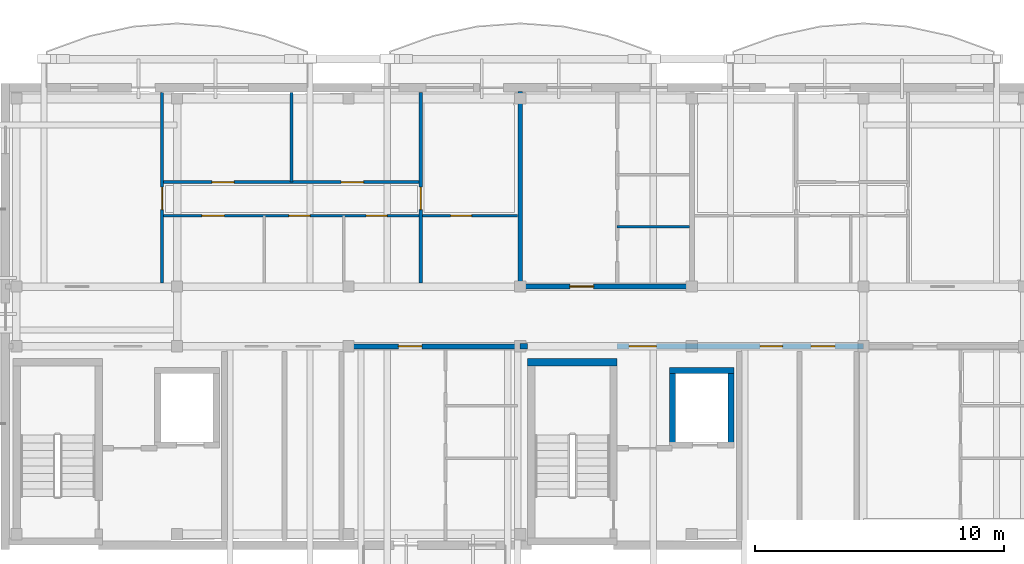
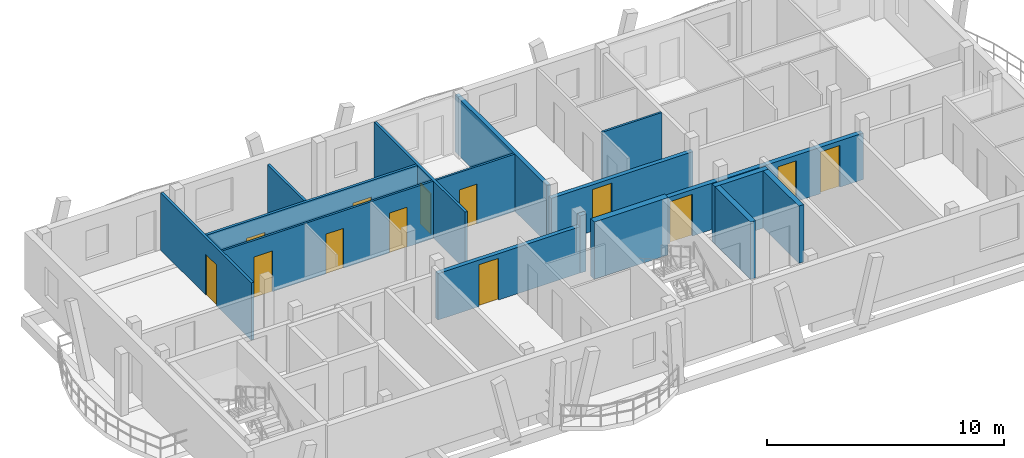
# One storey, part 29 of 42: 15 walls, 13 doors, 13 openings.
"""IFC4 building model written with IfcOpenShell, lengths in metres."""

import ifcopenshell
import ifcopenshell.guid

model = None  # the IFC model being written
_history = None  # IfcOwnerHistory: only IFC2X3 demands one
_inside = {}  # id of a spatial element -> (the spatial element, [elements in it])
_under = {}  # id of a project, library or spatial element -> (it, [spatial elements below it])
_declared = {}  # id of a project -> (the project, [libraries it declares])
_typed = {}  # id of a type object -> (the type object, [elements of that type])
_made_of = {}  # id of a material, layer set ... -> (it, [elements and type objects made of it])


def new_model(schema):
    """Start an empty IFC model of exactly this schema.

    Asked for "IFC4X3", IfcOpenShell would pick the latest addendum, in which some entities
    have other attributes; the version numbers below select the first issue.
    IFC2X3 requires an IfcOwnerHistory on every rooted entity: one is made here for all.
    """
    global model, _history
    if schema == "IFC4X3":
        model = ifcopenshell.file(schema_version=(4, 3, 0, 0))
    else:
        model = ifcopenshell.file(schema=schema)
    _inside.clear()
    _under.clear()
    _declared.clear()
    _typed.clear()
    _made_of.clear()
    _history = None
    if model.schema == "IFC2X3":
        org = make("IfcOrganization", Name="unknown")
        user = make(
            "IfcPersonAndOrganization",
            ThePerson=make("IfcPerson", FamilyName="unknown"),
            TheOrganization=org,
        )
        app = make(
            "IfcApplication",
            ApplicationDeveloper=org,
            Version="unknown",
            ApplicationFullName="unknown",
            ApplicationIdentifier="unknown",
        )
        _history = make(
            "IfcOwnerHistory",
            OwningUser=user,
            OwningApplication=app,
            ChangeAction="ADDED",
            CreationDate=0,
        )
    return model


def make(cls, **values):
    """One entity of the class cls with the attributes given. An attribute that is None is left unset."""
    return model.create_entity(
        cls, **{name: value for name, value in values.items() if value is not None}
    )


def rooted(cls, **values):
    """An entity with a GlobalId (a new one), such as an element, a storey or a relation."""
    return make(cls, GlobalId=ifcopenshell.guid.new(), OwnerHistory=_history, **values)


def si_unit(unit_type, name, prefix=None):
    """IfcSIUnit, for example si_unit("LENGTHUNIT", "METRE", prefix="MILLI")."""
    return make("IfcSIUnit", UnitType=unit_type, Prefix=prefix, Name=name)


def assignment(units):
    """IfcUnitAssignment: the units of a project."""
    return None if units is None else make("IfcUnitAssignment", Units=units)


def point(xyz):
    """IfcCartesianPoint."""
    return None if xyz is None else make("IfcCartesianPoint", Coordinates=xyz)


def direction(xyz):
    """IfcDirection."""
    return None if xyz is None else make("IfcDirection", DirectionRatios=xyz)


def frame(location, z_axis=None, x_axis=None):
    """IfcAxis2Placement3D, a coordinate frame: its origin and axes. An axis left out is left unset."""
    return make(
        "IfcAxis2Placement3D",
        Location=point(location),
        Axis=direction(z_axis),
        RefDirection=direction(x_axis),
    )


def frame_2d(location, x_axis=None):
    """IfcAxis2Placement2D, a coordinate frame in the plane: its origin and x axis."""
    return make(
        "IfcAxis2Placement2D", Location=point(location), RefDirection=direction(x_axis)
    )


def origin():
    """The frame at (0, 0, 0) with its axes left unset."""
    return frame((0.0, 0.0, 0.0))


def origin_with_axes():
    """The frame at (0, 0, 0) with the z axis (0, 0, 1) and the x axis (1, 0, 0) written out."""
    return frame((0.0, 0.0, 0.0), z_axis=(0.0, 0.0, 1.0), x_axis=(1.0, 0.0, 0.0))


def place(relative_to, where):
    """IfcLocalPlacement: puts the frame where relative to a parent placement (None: the world)."""
    return make(
        "IfcLocalPlacement", PlacementRelTo=relative_to, RelativePlacement=where
    )


def context(
    kind, dimensions, precision=None, world=None, true_north=None, identifier=None
):
    """IfcGeometricRepresentationContext, for example the 3D "Model" context."""
    return make(
        "IfcGeometricRepresentationContext",
        ContextIdentifier=identifier,
        ContextType=kind,
        CoordinateSpaceDimension=dimensions,
        Precision=precision,
        WorldCoordinateSystem=world,
        TrueNorth=true_north,
    )


def subcontext(parent, identifier, kind, view, scale=None):
    """IfcGeometricRepresentationSubContext, for example "Body" below "Model"."""
    return make(
        "IfcGeometricRepresentationSubContext",
        ContextIdentifier=identifier,
        ContextType=kind,
        ParentContext=parent,
        TargetScale=scale,
        TargetView=view,
    )


def project(units=None, contexts=None):
    """IfcProject with its units and contexts."""
    return rooted(
        "IfcProject",
        Name="project",
        RepresentationContexts=contexts,
        UnitsInContext=assignment(units),
    )


def spatial(cls, under=None, at=None, **own):
    """A site, building, storey or space (cls), placed at a placement, below another one or the project."""
    s = rooted(cls, ObjectPlacement=at, **own)
    if under is not None:
        _under.setdefault(under.id(), (under, []))[1].append(s)
    return s


def profile(cls, at=None, kind="AREA", **sizes):
    """A parametric profile (cls). Its sizes go by their IFC names, for example OverallWidth=200.0."""
    return make(cls, ProfileType=kind, Position=at, **sizes)


def rectangle(**sizes):
    """IfcRectangleProfileDef."""
    return profile("IfcRectangleProfileDef", **sizes)


def extrude(swept, where, along, depth):
    """IfcExtrudedAreaSolid: the profile swept, set in the frame where, extruded along a direction by depth."""
    return make(
        "IfcExtrudedAreaSolid",
        SweptArea=swept,
        Position=where,
        ExtrudedDirection=direction(along),
        Depth=depth,
    )


def shape(context_of_items, identifier, shape_type, items):
    """IfcShapeRepresentation: the items that make up one representation, for example the "Body"."""
    return make(
        "IfcShapeRepresentation",
        ContextOfItems=context_of_items,
        RepresentationIdentifier=identifier,
        RepresentationType=shape_type,
        Items=items,
    )


def material(Name=None, Category=None):
    """IfcMaterial."""
    return make("IfcMaterial", Name=Name, Category=Category)


def layer(
    of_material, thickness, ventilated=None, Name=None, Category=None, Priority=None
):
    """IfcMaterialLayer: one layer of a wall or slab, of a material (None: an air gap)."""
    return make(
        "IfcMaterialLayer",
        Material=of_material,
        LayerThickness=thickness,
        IsVentilated=ventilated,
        Name=Name,
        Category=Category,
        Priority=Priority,
    )


def layer_set(layers, Name=None):
    """IfcMaterialLayerSet."""
    return make("IfcMaterialLayerSet", MaterialLayers=layers, LayerSetName=Name)


def made_of(thing, what):
    """Note that an element or type object is made of a material, layer set ...; save() writes the relation."""
    if what is not None:
        _made_of.setdefault(what.id(), (what, []))[1].append(thing)
    return thing


def type_object(cls, material=None, **own):
    """A type object (cls), such as IfcWallType, which elements share."""
    return made_of(rooted(cls, **own), material)


def element(
    cls,
    number,
    at=None,
    inside=None,
    cuts=None,
    type_object=None,
    material=None,
    context=None,
    identifier="Body",
    shape_type=None,
    held_by="IfcProductDefinitionShape",
    body=None,
    shapes=None,
    **own,
):
    """One element of the class cls, such as IfcWall. Its Tag is "e" and its number.

    at: its placement. inside: the storey or other place that contains it. cuts: it is an
    opening in that element (IfcRelVoidsElement). A single representation is given by context,
    identifier, shape_type and body (its items); several are given by shapes. held_by: the class
    of the entity that holds the representations. save() writes the other relations.
    """
    e = rooted(cls, Tag="e%d" % number, ObjectPlacement=at, **own)
    if body is not None:
        shapes = [shape(context, identifier, shape_type, body)]
    if shapes is not None:
        e.Representation = make(held_by, Representations=shapes)
    if inside is not None:
        _inside.setdefault(inside.id(), (inside, []))[1].append(e)
    if cuts is not None:
        rooted(
            "IfcRelVoidsElement", RelatingBuildingElement=cuts, RelatedOpeningElement=e
        )
    if type_object is not None:
        _typed.setdefault(type_object.id(), (type_object, []))[1].append(e)
    return made_of(e, material)


def fill(opening, filler):
    """IfcRelFillsElement: the door or window that sits in an opening."""
    return rooted(
        "IfcRelFillsElement",
        RelatingOpeningElement=opening,
        RelatedBuildingElement=filler,
    )


def aggregate(whole, parts):
    """IfcRelAggregates: a whole, such as a stair, and the parts it consists of."""
    return rooted("IfcRelAggregates", RelatingObject=whole, RelatedObjects=parts)


def save(model, path):
    """Write the relations noted so far, then the file.

    IfcRelAggregates (storeys below a building ...), IfcRelContainedInSpatialStructure (elements
    in a storey), IfcRelDefinesByType, IfcRelAssociatesMaterial and IfcRelDeclares: one each for
    every whole, place, type object, material and project.
    """
    for whole, parts in _under.values():
        aggregate(whole, parts)
    for where, things in _inside.values():
        rooted(
            "IfcRelContainedInSpatialStructure",
            RelatedElements=things,
            RelatingStructure=where,
        )
    for kind, things in _typed.values():
        rooted("IfcRelDefinesByType", RelatedObjects=things, RelatingType=kind)
    for what, things in _made_of.values():
        rooted("IfcRelAssociatesMaterial", RelatedObjects=things, RelatingMaterial=what)
    for by, libraries in _declared.values():
        rooted("IfcRelDeclares", RelatingContext=by, RelatedDefinitions=libraries)
    model.write(path)


model = new_model("IFC4")

# Units and contexts
model_context = context("Model", 3, precision=1e-05, world=origin(), true_north=direction((0.0, 1.0)))
body_context = subcontext(model_context, "Body", "Model", "MODEL_VIEW")
ifc_project = project(units=[si_unit("LENGTHUNIT", "METRE"), si_unit("AREAUNIT", "SQUARE_METRE"), si_unit("VOLUMEUNIT", "CUBIC_METRE"), si_unit("PLANEANGLEUNIT", "RADIAN"), si_unit("MASSUNIT", "GRAM", prefix="KILO")], contexts=[model_context])

# Site, building, storey
site_placement = place(None, origin())
site = spatial("IfcSite", under=ifc_project, at=site_placement, CompositionType="ELEMENT")
building_placement = place(site_placement, origin())
building = spatial("IfcBuilding", under=site, at=building_placement, Name="Zavelmont Quarter", CompositionType="ELEMENT")
storey_placement = place(building_placement, frame((0.0, 0.0, 24.0)))
storey = spatial("IfcBuildingStorey", under=building, at=storey_placement, Name="L07", CompositionType="ELEMENT", Elevation=24.0)

# Wall
ifc_material_1 = material(Name="Calcium-silicate blockwork and acoustic plaster", Category="masonry")
ifc_layer_1 = layer(ifc_material_1, 0.199951171875)
ifc_layer_set_1 = layer_set([ifc_layer_1], Name="Calcium-silicate blockwork and acoustic plaster")
wall_type_1 = type_object("IfcWallType", Name="IW01", PredefinedType="PARTITIONING", material=ifc_layer_set_1)
wall_1_placement = place(storey_placement, frame((147.300048828125, 108.14990234375, 0.0), z_axis=(0.0, 0.0, 1.0), x_axis=(0.0, 1.0, 0.0)))
element("IfcWall", 1, at=wall_1_placement, inside=storey, type_object=wall_type_1, Name="L07 Inter-dwelling compartment wall IW01", PredefinedType="PARTITIONING", context=body_context, shape_type="SweptSolid", body=[
    extrude(rectangle(XDim=7.7001953125, YDim=0.199951171875, at=frame_2d((3.85009765625, 0.0))), origin(), (0.0, 0.0, 1.0), 2.949951171875),
])

# Wall, opening, door
wall_2_placement = place(storey_placement, frame((147.300048828125, 108.0, 0.0), z_axis=(0.0, 0.0, 1.0), x_axis=(1.0, 0.0, 0.0)))
wall_2 = element("IfcWall", 2, at=wall_2_placement, inside=storey, type_object=wall_type_1, Name="L07 Corridor compartment wall IW01", PredefinedType="PARTITIONING", context=body_context, shape_type="SweptSolid", body=[
    extrude(rectangle(XDim=6.89990234375, YDim=0.199951171875, at=frame_2d((3.449951171875, 0.0))), origin(), (0.0, 0.0, 1.0), 2.389892578125),
])
opening_1_placement = place(wall_2_placement, frame((2.0, 0.0, 0.0)))
opening_1 = element("IfcOpeningElement", 3, at=opening_1_placement, cuts=wall_2, Name="Opening DR02", PredefinedType="OPENING", context=body_context, shape_type="SweptSolid", body=[
    extrude(rectangle(XDim=0.949951171875, YDim=2.14990234375, at=frame_2d((0.47509765625, 1.074951171875))), frame((0.0, 0.11181640625, 0.0), z_axis=(0.0, -1.0, 0.0), x_axis=(1.0, 0.0, 0.0)), (0.0, 0.0, 1.0), 0.223876953125),
])
ifc_material_2 = material(Name="Solid-core oak fire leaf in steel frame", Category="steel")
door_type_1 = type_object("IfcDoorType", Name="DR02", OperationType="NOTDEFINED", PredefinedType="DOOR", material=ifc_material_2)
door_1_placement = place(opening_1_placement, origin_with_axes())
door_1 = element("IfcDoor", 4, at=door_1_placement, inside=storey, type_object=door_type_1, Name="L07 door DR02", OperationType="SINGLE_SWING_RIGHT", OverallHeight=2.14990234375, OverallWidth=0.949951171875, PredefinedType="DOOR", context=body_context, shape_type="SweptSolid", body=[
    extrude(rectangle(XDim=0.949951171875, YDim=2.14990234375, at=frame_2d((0.47509765625, 1.074951171875))), frame((0.0, 0.02490234375, 0.0), z_axis=(0.0, -1.0, 0.0), x_axis=(1.0, 0.0, 0.0)), (0.0, 0.0, 1.0), 0.050048828125),
])
fill(opening_1, door_1)

wall_3_placement = place(storey_placement, frame((140.39990234375, 105.60009765625, 0.0), z_axis=(0.0, 0.0, 1.0), x_axis=(1.0, 0.0, 0.0)))
wall_3 = element("IfcWall", 5, at=wall_3_placement, inside=storey, type_object=wall_type_1, Name="L07 Corridor compartment wall IW01", PredefinedType="PARTITIONING", context=body_context, shape_type="SweptSolid", body=[
    extrude(rectangle(XDim=6.900146484375, YDim=0.199951171875, at=frame_2d((3.4501953125, 0.0))), origin(), (0.0, 0.0, 1.0), 2.389892578125),
])
opening_2_placement = place(wall_3_placement, frame((2.0, 0.0, 0.0)))
opening_2 = element("IfcOpeningElement", 6, at=opening_2_placement, cuts=wall_3, Name="Opening DR02", PredefinedType="OPENING", context=body_context, shape_type="SweptSolid", body=[
    extrude(rectangle(XDim=0.949951171875, YDim=2.14990234375, at=frame_2d((0.47509765625, 1.074951171875))), frame((0.0, 0.11181640625, 0.0), z_axis=(0.0, -1.0, 0.0), x_axis=(1.0, 0.0, 0.0)), (0.0, 0.0, 1.0), 0.223876953125),
])
door_2_placement = place(opening_2_placement, frame((0.949951171875, 0.0, 0.0), z_axis=(0.0, 0.0, 1.0), x_axis=(-1.0, 0.0, 0.0)))
door_2 = element("IfcDoor", 7, at=door_2_placement, inside=storey, type_object=door_type_1, Name="L07 door DR02", OperationType="SINGLE_SWING_RIGHT", OverallHeight=2.14990234375, OverallWidth=0.949951171875, PredefinedType="DOOR", context=body_context, shape_type="SweptSolid", body=[
    extrude(rectangle(XDim=0.949951171875, YDim=2.14990234375, at=frame_2d((0.47509765625, 1.074951171875))), frame((0.0, 0.02490234375, 0.0), z_axis=(0.0, -1.0, 0.0), x_axis=(1.0, 0.0, 0.0)), (0.0, 0.0, 1.0), 0.050048828125),
])
fill(opening_2, door_2)

# Wall
ifc_material_3 = material(Name="Reinforced masonry fire compartment wall", Category="masonry")
ifc_layer_2 = layer(ifc_material_3, 0.22509765625)
ifc_layer_set_2 = layer_set([ifc_layer_2], Name="Reinforced masonry fire compartment wall")
wall_type_2 = type_object("IfcWallType", Name="IW02", PredefinedType="PARTITIONING", material=ifc_layer_set_2)
wall_4_placement = place(storey_placement, frame((147.300048828125, 105.60009765625, 0.0), z_axis=(0.0, 0.0, 1.0), x_axis=(1.0, 0.0, 0.0)))
element("IfcWall", 8, at=wall_4_placement, inside=storey, type_object=wall_type_2, Name="L07 Core corridor wall IW02", PredefinedType="PARTITIONING", context=body_context, shape_type="SweptSolid", body=[
    extrude(rectangle(XDim=0.300048828125, YDim=0.22509765625, at=frame_2d((0.14990234375, 0.0))), origin(), (0.0, 0.0, 1.0), 2.949951171875),
])

# Wall, openings, doors
wall_5_placement = place(storey_placement, frame((151.199951171875, 105.60009765625, 0.0), z_axis=(0.0, 0.0, 1.0), x_axis=(1.0, 0.0, 0.0)))
wall_5 = element("IfcWall", 9, at=wall_5_placement, inside=storey, type_object=wall_type_2, Name="L07 Core corridor fire wall IW02", PredefinedType="PARTITIONING", context=body_context, shape_type="SweptSolid", body=[
    extrude(rectangle(XDim=9.900146484375, YDim=0.22509765625, at=frame_2d((4.9501953125, 0.0))), origin(), (0.0, 0.0, 1.0), 2.389892578125),
])
opening_3_placement = place(wall_5_placement, frame((0.47509765625, 0.0, 0.0)))
opening_3 = element("IfcOpeningElement", 10, at=opening_3_placement, cuts=wall_5, Name="Opening DR10", PredefinedType="OPENING", context=body_context, shape_type="SweptSolid", body=[
    extrude(rectangle(XDim=1.10009765625, YDim=2.14990234375, at=frame_2d((0.550048828125, 1.074951171875))), frame((0.0, 0.12451171875, 0.0), z_axis=(0.0, -1.0, 0.0), x_axis=(1.0, 0.0, 0.0)), (0.0, 0.0, 1.0), 0.2490234375),
])
opening_4_placement = place(wall_5_placement, frame((5.75, 0.0, 0.0)))
opening_4 = element("IfcOpeningElement", 11, at=opening_4_placement, cuts=wall_5, Name="Opening DR11", PredefinedType="OPENING", context=body_context, shape_type="SweptSolid", body=[
    extrude(rectangle(XDim=0.89990234375, YDim=2.10009765625, at=frame_2d((0.449951171875, 1.050048828125))), frame((0.0, 0.12451171875, 0.0), z_axis=(0.0, -1.0, 0.0), x_axis=(1.0, 0.0, 0.0)), (0.0, 0.0, 1.0), 0.2490234375),
])
opening_5_placement = place(wall_5_placement, frame((7.800048828125, 0.0, 0.0)))
opening_5 = element("IfcOpeningElement", 12, at=opening_5_placement, cuts=wall_5, Name="Opening DR02", PredefinedType="OPENING", context=body_context, shape_type="SweptSolid", body=[
    extrude(rectangle(XDim=0.949951171875, YDim=2.14990234375, at=frame_2d((0.47509765625, 1.074951171875))), frame((0.0, 0.12451171875, 0.0), z_axis=(0.0, -1.0, 0.0), x_axis=(1.0, 0.0, 0.0)), (0.0, 0.0, 1.0), 0.2490234375),
])
door_3_placement = place(opening_5_placement, origin_with_axes())
door_3 = element("IfcDoor", 13, at=door_3_placement, inside=storey, type_object=door_type_1, Name="Auxiliary store corridor door", OperationType="SINGLE_SWING_RIGHT", OverallHeight=2.14990234375, OverallWidth=0.949951171875, PredefinedType="DOOR", context=body_context, shape_type="SweptSolid", body=[
    extrude(rectangle(XDim=0.949951171875, YDim=2.14990234375, at=frame_2d((0.47509765625, 1.074951171875))), frame((0.0, 0.02490234375, 0.0), z_axis=(0.0, -1.0, 0.0), x_axis=(1.0, 0.0, 0.0)), (0.0, 0.0, 1.0), 0.050048828125),
])
fill(opening_5, door_3)
ifc_material_4 = material(Name="Painted steel lobby fire door", Category="steel")
door_type_2 = type_object("IfcDoorType", Name="DR10", OperationType="NOTDEFINED", PredefinedType="DOOR", material=ifc_material_4)
door_4_placement = place(opening_3_placement, frame((1.10009765625, 0.0, 0.0), z_axis=(0.0, 0.0, 1.0), x_axis=(-1.0, 0.0, 0.0)))
door_4 = element("IfcDoor", 14, at=door_4_placement, inside=storey, type_object=door_type_2, Name="Core vestibule fire door", OperationType="SINGLE_SWING_LEFT", OverallHeight=2.14990234375, OverallWidth=1.10009765625, PredefinedType="DOOR", context=body_context, shape_type="SweptSolid", body=[
    extrude(rectangle(XDim=1.10009765625, YDim=2.14990234375, at=frame_2d((0.550048828125, 1.074951171875))), frame((0.0, 0.02490234375, 0.0), z_axis=(0.0, -1.0, 0.0), x_axis=(1.0, 0.0, 0.0)), (0.0, 0.0, 1.0), 0.050048828125),
])
fill(opening_3, door_4)
ifc_material_5 = material(Name="Painted steel service-riser fire door", Category="steel")
door_type_3 = type_object("IfcDoorType", Name="DR11", OperationType="NOTDEFINED", PredefinedType="DOOR", material=ifc_material_5)
door_5_placement = place(opening_4_placement, origin_with_axes())
door_5 = element("IfcDoor", 15, at=door_5_placement, inside=storey, type_object=door_type_3, Name="Service riser fire door", OperationType="SINGLE_SWING_LEFT", OverallHeight=2.10009765625, OverallWidth=0.89990234375, PredefinedType="DOOR", context=body_context, shape_type="SweptSolid", body=[
    extrude(rectangle(XDim=0.89990234375, YDim=2.10009765625, at=frame_2d((0.449951171875, 1.050048828125))), frame((0.0, 0.02490234375, 0.0), z_axis=(0.0, -1.0, 0.0), x_axis=(1.0, 0.0, 0.0)), (0.0, 0.0, 1.0), 0.050048828125),
])
fill(opening_4, door_5)

# Wall, opening, door
ifc_material_6 = material(Name="Double gypsum board on acoustic steel stud", Category="steel")
ifc_layer_3 = layer(ifc_material_6, 0.125)
ifc_layer_set_3 = layer_set([ifc_layer_3], Name="Double gypsum board on acoustic steel stud")
wall_type_3 = type_object("IfcWallType", Name="IW03", PredefinedType="PARTITIONING", material=ifc_layer_set_3)
wall_6_placement = place(storey_placement, frame((132.89990234375, 108.14990234375, 0.0), z_axis=(0.0, 0.0, 1.0), x_axis=(0.0, 1.0, 0.0)))
wall_6 = element("IfcWall", 16, at=wall_6_placement, inside=storey, type_object=wall_type_3, Name="L07 Partition IW03", PredefinedType="PARTITIONING", context=body_context, shape_type="SweptSolid", body=[
    extrude(rectangle(XDim=7.650146484375, YDim=0.125, at=frame_2d((3.8251953125, 0.0))), origin(), (0.0, 0.0, 1.0), 2.949951171875),
])
opening_6_placement = place(wall_6_placement, frame((2.949951171875, 0.0, 0.0)))
opening_6 = element("IfcOpeningElement", 17, at=opening_6_placement, cuts=wall_6, Name="Opening DR05", PredefinedType="OPENING", context=body_context, shape_type="SweptSolid", body=[
    extrude(rectangle(XDim=0.89990234375, YDim=2.10009765625, at=frame_2d((0.449951171875, 1.050048828125))), frame((0.0, 0.074462890625, 0.0), z_axis=(0.0, -1.0, 0.0), x_axis=(1.0, 0.0, 0.0)), (0.0, 0.0, 1.0), 0.14892578125),
])
ifc_material_7 = material(Name="Engineered oak flush interior door")
door_type_4 = type_object("IfcDoorType", Name="DR05", OperationType="NOTDEFINED", PredefinedType="DOOR", material=ifc_material_7)
door_6_placement = place(opening_6_placement, frame((0.89990234375, 0.0, 0.0), z_axis=(0.0, 0.0, 1.0), x_axis=(-1.0, 0.0, 0.0)))
door_6 = element("IfcDoor", 18, at=door_6_placement, inside=storey, type_object=door_type_4, Name="L07 door DR05", OperationType="SINGLE_SWING_RIGHT", OverallHeight=2.10009765625, OverallWidth=0.89990234375, PredefinedType="DOOR", context=body_context, shape_type="SweptSolid", body=[
    extrude(rectangle(XDim=0.89990234375, YDim=2.10009765625, at=frame_2d((0.449951171875, 1.050048828125))), frame((0.0, 0.02490234375, 0.0), z_axis=(0.0, -1.0, 0.0), x_axis=(1.0, 0.0, 0.0)), (0.0, 0.0, 1.0), 0.050048828125),
])
fill(opening_6, door_6)

# Wall
wall_7_placement = place(storey_placement, frame((138.10009765625, 112.199951171875, 0.0), z_axis=(0.0, 0.0, 1.0), x_axis=(0.0, 1.0, 0.0)))
element("IfcWall", 19, at=wall_7_placement, inside=storey, type_object=wall_type_3, Name="L07 Partition IW03", PredefinedType="PARTITIONING", context=body_context, shape_type="SweptSolid", body=[
    extrude(rectangle(XDim=3.60009765625, YDim=0.125, at=frame_2d((1.800048828125, 0.0))), origin(), (0.0, 0.0, 1.0), 2.590087890625),
])

# Wall, opening, door
wall_8_placement = place(storey_placement, frame((143.300048828125, 108.14990234375, 0.0), z_axis=(0.0, 0.0, 1.0), x_axis=(0.0, 1.0, 0.0)))
wall_8 = element("IfcWall", 20, at=wall_8_placement, inside=storey, type_object=wall_type_3, Name="L07 Partition IW03", PredefinedType="PARTITIONING", context=body_context, shape_type="SweptSolid", body=[
    extrude(rectangle(XDim=7.650146484375, YDim=0.125, at=frame_2d((3.8251953125, 0.0))), origin(), (0.0, 0.0, 1.0), 2.949951171875),
])
opening_7_placement = place(wall_8_placement, frame((2.949951171875, 0.0, 0.0)))
opening_7 = element("IfcOpeningElement", 21, at=opening_7_placement, cuts=wall_8, Name="Opening DR05", PredefinedType="OPENING", context=body_context, shape_type="SweptSolid", body=[
    extrude(rectangle(XDim=0.89990234375, YDim=2.10009765625, at=frame_2d((0.449951171875, 1.050048828125))), frame((0.0, 0.074462890625, 0.0), z_axis=(0.0, -1.0, 0.0), x_axis=(1.0, 0.0, 0.0)), (0.0, 0.0, 1.0), 0.14892578125),
])
door_7_placement = place(opening_7_placement, origin_with_axes())
door_7 = element("IfcDoor", 22, at=door_7_placement, inside=storey, type_object=door_type_4, Name="L07 door DR05", OperationType="SINGLE_SWING_LEFT", OverallHeight=2.10009765625, OverallWidth=0.89990234375, PredefinedType="DOOR", context=body_context, shape_type="SweptSolid", body=[
    extrude(rectangle(XDim=0.89990234375, YDim=2.10009765625, at=frame_2d((0.449951171875, 1.050048828125))), frame((0.0, 0.02490234375, 0.0), z_axis=(0.0, -1.0, 0.0), x_axis=(1.0, 0.0, 0.0)), (0.0, 0.0, 1.0), 0.050048828125),
])
fill(opening_7, door_7)

# Wall, openings, doors
wall_9_placement = place(storey_placement, frame((132.89990234375, 112.199951171875, 0.0), z_axis=(0.0, 0.0, 1.0), x_axis=(1.0, 0.0, 0.0)))
wall_9 = element("IfcWall", 23, at=wall_9_placement, inside=storey, type_object=wall_type_3, Name="L07 Partition IW03", PredefinedType="PARTITIONING", context=body_context, shape_type="SweptSolid", body=[
    extrude(rectangle(XDim=10.400146484375, YDim=0.125, at=frame_2d((5.2001953125, 0.0))), origin(), (0.0, 0.0, 1.0), 2.949951171875),
])
opening_8_placement = place(wall_9_placement, frame((2.0, 0.0, 0.0)))
opening_8 = element("IfcOpeningElement", 24, at=opening_8_placement, cuts=wall_9, Name="Opening DR05", PredefinedType="OPENING", context=body_context, shape_type="SweptSolid", body=[
    extrude(rectangle(XDim=0.89990234375, YDim=2.10009765625, at=frame_2d((0.449951171875, 1.050048828125))), frame((0.0, 0.074462890625, 0.0), z_axis=(0.0, -1.0, 0.0), x_axis=(1.0, 0.0, 0.0)), (0.0, 0.0, 1.0), 0.14892578125),
])
opening_9_placement = place(wall_9_placement, frame((7.199951171875, 0.0, 0.0)))
opening_9 = element("IfcOpeningElement", 25, at=opening_9_placement, cuts=wall_9, Name="Opening DR05", PredefinedType="OPENING", context=body_context, shape_type="SweptSolid", body=[
    extrude(rectangle(XDim=0.89990234375, YDim=2.10009765625, at=frame_2d((0.449951171875, 1.050048828125))), frame((0.0, 0.074462890625, 0.0), z_axis=(0.0, -1.0, 0.0), x_axis=(1.0, 0.0, 0.0)), (0.0, 0.0, 1.0), 0.14892578125),
])
door_8_placement = place(opening_8_placement, frame((0.89990234375, 0.0, 0.0), z_axis=(0.0, 0.0, 1.0), x_axis=(-1.0, 0.0, 0.0)))
door_8 = element("IfcDoor", 26, at=door_8_placement, inside=storey, type_object=door_type_4, Name="L07 door DR05", OperationType="SINGLE_SWING_RIGHT", OverallHeight=2.10009765625, OverallWidth=0.89990234375, PredefinedType="DOOR", context=body_context, shape_type="SweptSolid", body=[
    extrude(rectangle(XDim=0.89990234375, YDim=2.10009765625, at=frame_2d((0.449951171875, 1.050048828125))), frame((0.0, 0.02490234375, 0.0), z_axis=(0.0, -1.0, 0.0), x_axis=(1.0, 0.0, 0.0)), (0.0, 0.0, 1.0), 0.050048828125),
])
fill(opening_8, door_8)
door_9_placement = place(opening_9_placement, origin_with_axes())
door_9 = element("IfcDoor", 27, at=door_9_placement, inside=storey, type_object=door_type_4, Name="L07 door DR05", OperationType="SINGLE_SWING_LEFT", OverallHeight=2.10009765625, OverallWidth=0.89990234375, PredefinedType="DOOR", context=body_context, shape_type="SweptSolid", body=[
    extrude(rectangle(XDim=0.89990234375, YDim=2.10009765625, at=frame_2d((0.449951171875, 1.050048828125))), frame((0.0, 0.02490234375, 0.0), z_axis=(0.0, -1.0, 0.0), x_axis=(1.0, 0.0, 0.0)), (0.0, 0.0, 1.0), 0.050048828125),
])
fill(opening_9, door_9)

ifc_material_8 = material(Name="Moisture-resistant gypsum board on steel stud", Category="steel")
ifc_layer_4 = layer(ifc_material_8, 0.10009765625)
ifc_layer_set_4 = layer_set([ifc_layer_4], Name="Moisture-resistant gypsum board on steel stud")
wall_type_4 = type_object("IfcWallType", Name="IW04", PredefinedType="PARTITIONING", material=ifc_layer_set_4)
wall_10_placement = place(storey_placement, frame((132.89990234375, 110.85009765625, 0.0), z_axis=(0.0, 0.0, 1.0), x_axis=(1.0, 0.0, 0.0)))
wall_10 = element("IfcWall", 28, at=wall_10_placement, inside=storey, type_object=wall_type_4, Name="L07 Partition IW04", PredefinedType="PARTITIONING", context=body_context, shape_type="SweptSolid", body=[
    extrude(rectangle(XDim=14.300048828125, YDim=0.10009765625, at=frame_2d((7.14990234375, 0.0))), origin(), (0.0, 0.0, 1.0), 2.949951171875),
])
opening_10_placement = place(wall_10_placement, frame((1.60009765625, 0.0, 0.0)))
opening_10 = element("IfcOpeningElement", 29, at=opening_10_placement, cuts=wall_10, Name="Opening DR05", PredefinedType="OPENING", context=body_context, shape_type="SweptSolid", body=[
    extrude(rectangle(XDim=0.89990234375, YDim=2.10009765625, at=frame_2d((0.449951171875, 1.050048828125))), frame((0.0, 0.06201171875, 0.0), z_axis=(0.0, -1.0, 0.0), x_axis=(1.0, 0.0, 0.0)), (0.0, 0.0, 1.0), 0.1240234375),
])
opening_11_placement = place(wall_10_placement, frame((5.10009765625, 0.0, 0.0)))
opening_11 = element("IfcOpeningElement", 30, at=opening_11_placement, cuts=wall_10, Name="Opening DR06", PredefinedType="OPENING", context=body_context, shape_type="SweptSolid", body=[
    extrude(rectangle(XDim=0.85009765625, YDim=2.050048828125, at=frame_2d((0.425048828125, 1.02490234375))), frame((0.0, 0.06201171875, 0.0), z_axis=(0.0, -1.0, 0.0), x_axis=(1.0, 0.0, 0.0)), (0.0, 0.0, 1.0), 0.1240234375),
])
opening_12_placement = place(wall_10_placement, frame((8.199951171875, 0.0, 0.0)))
opening_12 = element("IfcOpeningElement", 31, at=opening_12_placement, cuts=wall_10, Name="Opening DR06", PredefinedType="OPENING", context=body_context, shape_type="SweptSolid", body=[
    extrude(rectangle(XDim=0.85009765625, YDim=2.050048828125, at=frame_2d((0.425048828125, 1.02490234375))), frame((0.0, 0.06201171875, 0.0), z_axis=(0.0, -1.0, 0.0), x_axis=(1.0, 0.0, 0.0)), (0.0, 0.0, 1.0), 0.1240234375),
])
opening_13_placement = place(wall_10_placement, frame((11.60009765625, 0.0, 0.0)))
opening_13 = element("IfcOpeningElement", 32, at=opening_13_placement, cuts=wall_10, Name="Opening DR06", PredefinedType="OPENING", context=body_context, shape_type="SweptSolid", body=[
    extrude(rectangle(XDim=0.85009765625, YDim=2.050048828125, at=frame_2d((0.425048828125, 1.02490234375))), frame((0.0, 0.06201171875, 0.0), z_axis=(0.0, -1.0, 0.0), x_axis=(1.0, 0.0, 0.0)), (0.0, 0.0, 1.0), 0.1240234375),
])
door_10_placement = place(opening_10_placement, frame((0.89990234375, 0.0, 0.0), z_axis=(0.0, 0.0, 1.0), x_axis=(-1.0, 0.0, 0.0)))
door_10 = element("IfcDoor", 33, at=door_10_placement, inside=storey, type_object=door_type_4, Name="L07 door DR05", OperationType="SINGLE_SWING_RIGHT", OverallHeight=2.10009765625, OverallWidth=0.89990234375, PredefinedType="DOOR", context=body_context, shape_type="SweptSolid", body=[
    extrude(rectangle(XDim=0.89990234375, YDim=2.10009765625, at=frame_2d((0.449951171875, 1.050048828125))), frame((0.0, 0.02490234375, 0.0), z_axis=(0.0, -1.0, 0.0), x_axis=(1.0, 0.0, 0.0)), (0.0, 0.0, 1.0), 0.050048828125),
])
fill(opening_10, door_10)
ifc_material_9 = material(Name="Moisture-resistant painted wet-room door")
door_type_5 = type_object("IfcDoorType", Name="DR06", OperationType="NOTDEFINED", PredefinedType="DOOR", material=ifc_material_9)
door_11_placement = place(opening_11_placement, origin_with_axes())
door_11 = element("IfcDoor", 34, at=door_11_placement, inside=storey, type_object=door_type_5, Name="L07 door DR06", OperationType="SINGLE_SWING_LEFT", OverallHeight=2.050048828125, OverallWidth=0.85009765625, PredefinedType="DOOR", context=body_context, shape_type="SweptSolid", body=[
    extrude(rectangle(XDim=0.85009765625, YDim=2.050048828125, at=frame_2d((0.425048828125, 1.02490234375))), frame((0.0, 0.02490234375, 0.0), z_axis=(0.0, -1.0, 0.0), x_axis=(1.0, 0.0, 0.0)), (0.0, 0.0, 1.0), 0.050048828125),
])
fill(opening_11, door_11)
door_12_placement = place(opening_12_placement, frame((0.85009765625, 0.0, 0.0), z_axis=(0.0, 0.0, 1.0), x_axis=(-1.0, 0.0, 0.0)))
door_12 = element("IfcDoor", 35, at=door_12_placement, inside=storey, type_object=door_type_5, Name="L07 door DR06", OperationType="SINGLE_SWING_RIGHT", OverallHeight=2.050048828125, OverallWidth=0.85009765625, PredefinedType="DOOR", context=body_context, shape_type="SweptSolid", body=[
    extrude(rectangle(XDim=0.85009765625, YDim=2.050048828125, at=frame_2d((0.425048828125, 1.02490234375))), frame((0.0, 0.02490234375, 0.0), z_axis=(0.0, -1.0, 0.0), x_axis=(1.0, 0.0, 0.0)), (0.0, 0.0, 1.0), 0.050048828125),
])
fill(opening_12, door_12)
door_13_placement = place(opening_13_placement, origin_with_axes())
door_13 = element("IfcDoor", 36, at=door_13_placement, inside=storey, type_object=door_type_5, Name="L07 door DR06", OperationType="SINGLE_SWING_LEFT", OverallHeight=2.050048828125, OverallWidth=0.85009765625, PredefinedType="DOOR", context=body_context, shape_type="SweptSolid", body=[
    extrude(rectangle(XDim=0.85009765625, YDim=2.050048828125, at=frame_2d((0.425048828125, 1.02490234375))), frame((0.0, 0.02490234375, 0.0), z_axis=(0.0, -1.0, 0.0), x_axis=(1.0, 0.0, 0.0)), (0.0, 0.0, 1.0), 0.050048828125),
])
fill(opening_13, door_13)

# Walls
wall_11_placement = place(storey_placement, frame((151.199951171875, 110.39990234375, 0.0), z_axis=(0.0, 0.0, 1.0), x_axis=(1.0, 0.0, 0.0)))
element("IfcWall", 37, at=wall_11_placement, inside=storey, type_object=wall_type_4, Name="L07 Partition IW04", PredefinedType="PARTITIONING", context=body_context, shape_type="SweptSolid", body=[
    extrude(rectangle(XDim=2.900146484375, YDim=0.10009765625, at=frame_2d((1.4501953125, 0.0))), origin(), (0.0, 0.0, 1.0), 2.949951171875),
])
ifc_material_10 = material(Name="Concrete C40/50", Category="concrete")
ifc_layer_5 = layer(ifc_material_10, 0.300048828125)
ifc_layer_set_5 = layer_set([ifc_layer_5], Name="Concrete C40/50")
wall_type_5 = type_object("IfcWallType", Name="SW01", PredefinedType="SHEAR", material=ifc_layer_set_5)
wall_12_placement = place(storey_placement, frame((147.60009765625, 104.949951171875, 0.0), z_axis=(0.0, 0.0, 1.0), x_axis=(1.0, 0.0, 0.0)))
element("IfcWall", 38, at=wall_12_placement, inside=storey, type_object=wall_type_5, Name="L07 ST06 corridor shear wall SW01", PredefinedType="SHEAR", context=body_context, shape_type="SweptSolid", body=[
    extrude(rectangle(XDim=3.599853515625, YDim=0.300048828125, at=frame_2d((1.7998046875, 0.0))), origin(), (0.0, 0.0, 1.0), 2.949951171875),
])
ifc_layer_6 = layer(ifc_material_10, 0.25)
ifc_layer_set_6 = layer_set([ifc_layer_6], Name="Concrete C40/50")
wall_type_6 = type_object("IfcWallType", Name="SW02", PredefinedType="SHEAR", material=ifc_layer_set_6)
wall_13_placement = place(storey_placement, frame((153.300048828125, 104.625, 0.0), z_axis=(0.0, 0.0, 1.0), x_axis=(1.0, 0.0, 0.0)))
element("IfcWall", 39, at=wall_13_placement, inside=storey, type_object=wall_type_6, Name="L07 Lift LF06 back shaft wall SW02", PredefinedType="SHEAR", context=body_context, shape_type="SweptSolid", body=[
    extrude(rectangle(XDim=2.599853515625, YDim=0.25, at=frame_2d((1.2998046875, 0.0))), origin(), (0.0, 0.0, 1.0), 2.949951171875),
])
for number, where, z_axis, x_axis, name in (
    (40, (153.425048828125, 101.5, 0.0), (0.0, 0.0, 1.0), (0.0, 1.0, 0.0), "L07 Lift LF06 west shaft wall SW02"),
    (41, (155.77490234375, 101.5, 0.0), (0.0, 0.0, 1.0), (0.0, 1.0, 0.0), "L07 Lift LF06 east shaft wall SW02"),
):
    element("IfcWall", number, at=place(storey_placement, frame(where, z_axis=z_axis, x_axis=x_axis)), inside=storey, type_object=wall_type_6, Name=name, PredefinedType="SHEAR", context=body_context, shape_type="SweptSolid", body=[
        extrude(rectangle(XDim=3.25, YDim=0.25, at=frame_2d((1.625, 0.0))), origin(), (0.0, 0.0, 1.0), 2.949951171875),
    ])

save(model, "model.ifc")
